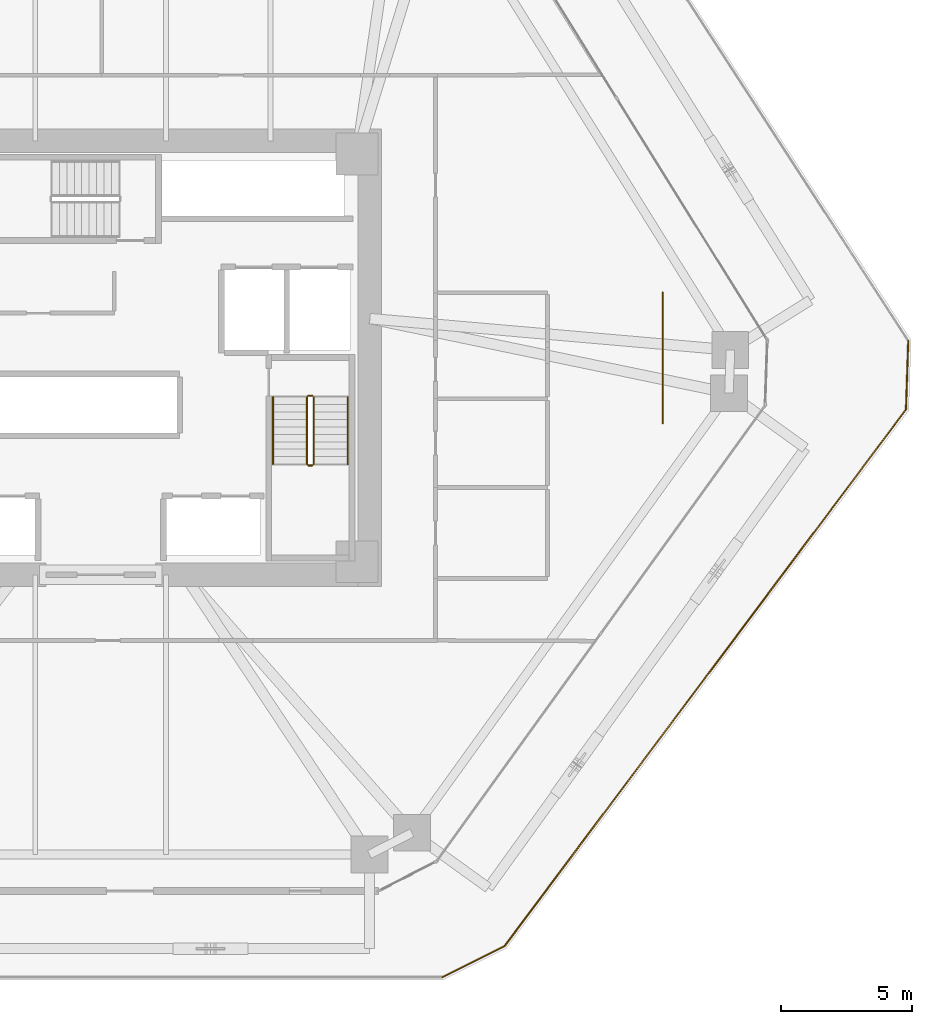
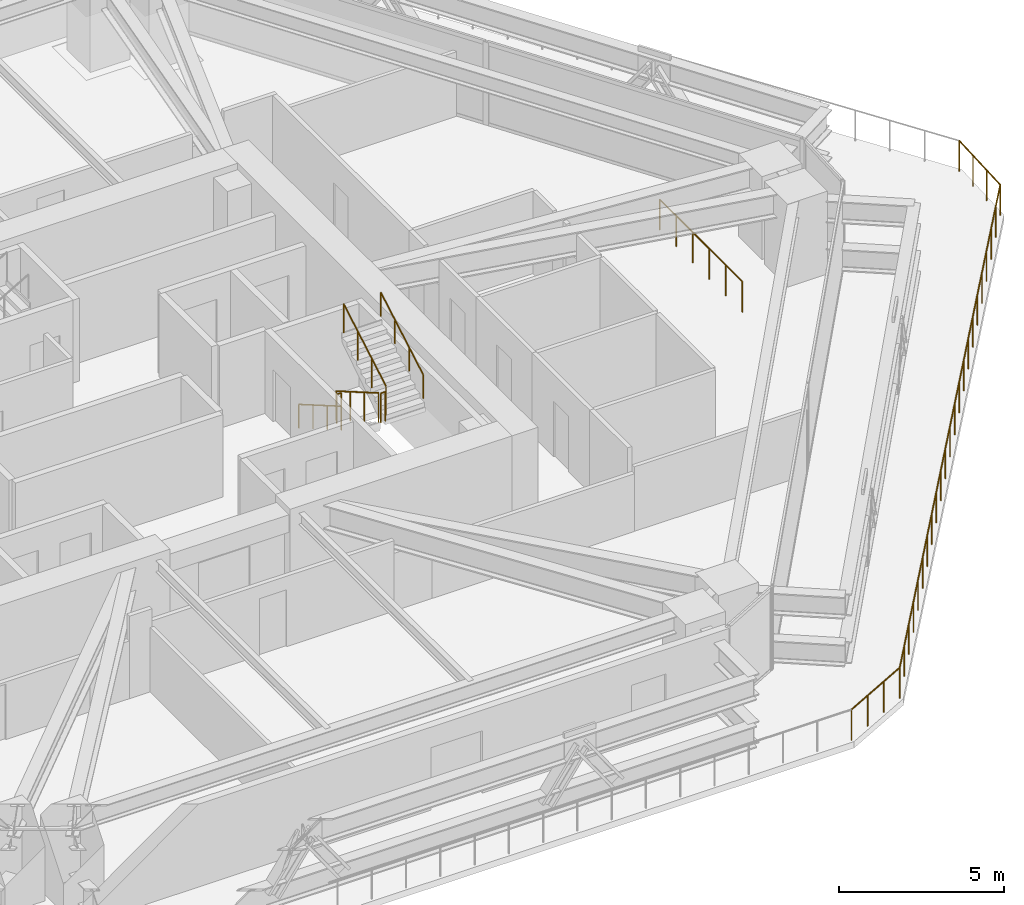
# One storey, part 19 of 20: 10 railings.
"""IFC4 building model written with IfcOpenShell, lengths in metres."""

from ifc_helpers import new_model, si_unit, direction, frame, origin, origin_2d, place, context, subcontext, project, spatial, circle, extrude, material, type_object, element, save


model = new_model("IFC4")

# Units and contexts
model_context = context("Model", 3, precision=1e-05, world=origin(), true_north=direction((0.0, 1.0)))
body_context = subcontext(model_context, "Body", "Model", "MODEL_VIEW")
ifc_project = project(units=[si_unit("LENGTHUNIT", "METRE"), si_unit("AREAUNIT", "SQUARE_METRE"), si_unit("VOLUMEUNIT", "CUBIC_METRE"), si_unit("PLANEANGLEUNIT", "RADIAN"), si_unit("MASSUNIT", "GRAM", prefix="KILO")], contexts=[model_context])

# Site, building, storey
site_placement = place(None, origin())
site = spatial("IfcSite", under=ifc_project, at=site_placement, CompositionType="ELEMENT")
building_placement = place(site_placement, origin())
building = spatial("IfcBuilding", under=site, at=building_placement, Name="Durnholm Broadcast Tower", CompositionType="ELEMENT")
storey_placement = place(building_placement, frame((0.0, 0.0, 32.39990234375)))
storey = spatial("IfcBuildingStorey", under=building, at=storey_placement, Name="L06", CompositionType="ELEMENT", Elevation=32.39990234375)

# Railings
ifc_material_1 = material(Name="Laminated Structural Glass Pool Balustrade", Category="glass")
railing_type_1 = type_object("IfcRailingType", Name="RAIL-POOL-1150", PredefinedType="BALUSTRADE", material=ifc_material_1)
railing_1_placement = place(storey_placement, frame((21.5, -2.5, 0.0)))
element("IfcRailing", 1, at=railing_1_placement, inside=storey, type_object=railing_type_1, Name="L06 planted sky-terrace feature glass balustrade 2", PredefinedType="BALUSTRADE", context=body_context, shape_type="SweptSolid", body=[
    extrude(circle(Radius=0.02392578125, at=origin_2d()), frame((0.0, 0.0, 1.1259765625), z_axis=(0.0, 1.0, 0.0), x_axis=(-1.0, 0.0, 0.0)), (0.0, 0.0, 1.0), 5.0),
    extrude(circle(Radius=0.02099609375, at=origin_2d()), origin(), (0.0, 0.0, 1.0), 1.101806640625),
    extrude(circle(Radius=0.02099609375, at=origin_2d()), frame((0.0, 1.0, 0.0)), (0.0, 0.0, 1.0), 1.101806640625),
    extrude(circle(Radius=0.02099609375, at=origin_2d()), frame((0.0, 2.0, 0.0)), (0.0, 0.0, 1.0), 1.101806640625),
    extrude(circle(Radius=0.02099609375, at=origin_2d()), frame((0.0, 3.0, 0.0)), (0.0, 0.0, 1.0), 1.101806640625),
    extrude(circle(Radius=0.02099609375, at=origin_2d()), frame((0.0, 4.0, 0.0)), (0.0, 0.0, 1.0), 1.101806640625),
    extrude(circle(Radius=0.02099609375, at=origin_2d()), frame((0.0, 5.0, 0.0)), (0.0, 0.0, 1.0), 1.101806640625),
])
ifc_material_2 = material(Name="Painted Tubular Steel Stair Guardrail", Category="steel")
railing_type_2 = type_object("IfcRailingType", Name="RAIL-ST-GRD", PredefinedType="GUARDRAIL", material=ifc_material_2)
railing_2_placement = place(storey_placement, frame((7.889892578125, -1.5, 0.1650390625)))
element("IfcRailing", 2, at=railing_2_placement, inside=storey, type_object=railing_type_2, Name="L06 ST-2 stair guard 1", PredefinedType="GUARDRAIL", context=body_context, shape_type="SweptSolid", body=[
    extrude(circle(Radius=0.02392578125, at=origin_2d()), frame((0.0, 0.0, 1.076171875), z_axis=(0.0, -0.865405606168, 0.501071987656), x_axis=(1.0, 0.0, 0.0)), (0.0, 0.0, 1.0), 2.9638671875),
    extrude(circle(Radius=0.02099609375, at=origin_2d()), origin(), (0.0, 0.0, 1.0), 1.052001953125),
    extrude(circle(Radius=0.02099609375, at=origin_2d()), frame((0.0, -0.85498046875, 0.4951171875)), (0.0, 0.0, 1.0), 1.052001953125),
    extrude(circle(Radius=0.02099609375, at=origin_2d()), frame((0.0, -1.7099609375, 0.989990234375)), (0.0, 0.0, 1.0), 1.052001953125),
    extrude(circle(Radius=0.02099609375, at=origin_2d()), frame((0.0, -2.56494140625, 1.485107421875)), (0.0, 0.0, 1.0), 1.052001953125),
])
railing_3_placement = place(storey_placement, frame((7.93994140625, -4.114990234375, 1.650146484375)))
element("IfcRailing", 3, at=railing_3_placement, inside=storey, type_object=railing_type_2, Name="L06 ST-2 stair guard 2", PredefinedType="GUARDRAIL", context=body_context, shape_type="SweptSolid", body=[
    extrude(circle(Radius=0.02392578125, at=origin_2d()), frame((0.0, 0.0, 1.076171875), z_axis=(1.0, 0.0, 0.0), x_axis=(0.0, 1.0, 0.0)), (0.0, 0.0, 1.0), 0.16015625),
    extrude(circle(Radius=0.02099609375, at=origin_2d()), origin(), (0.0, 0.0, 1.0), 1.052001953125),
    extrude(circle(Radius=0.02099609375, at=origin_2d()), frame((0.16015625, 0.0, 0.0)), (0.0, 0.0, 1.0), 1.052001953125),
])
railing_4_placement = place(storey_placement, frame((8.14990234375, -4.06494140625, 1.815185546875)))
element("IfcRailing", 4, at=railing_4_placement, inside=storey, type_object=railing_type_2, Name="L06 ST-2 stair guard 3", PredefinedType="GUARDRAIL", context=body_context, shape_type="SweptSolid", body=[
    extrude(circle(Radius=0.02392578125, at=origin_2d()), frame((0.0, 0.0, 1.076171875), z_axis=(0.0, 0.865441324677, 0.50101029285), x_axis=(-1.0, 0.0, 0.0)), (0.0, 0.0, 1.0), 2.963623046875),
    extrude(circle(Radius=0.02099609375, at=origin_2d()), origin(), (0.0, 0.0, 1.0), 1.052001953125),
    extrude(circle(Radius=0.02099609375, at=origin_2d()), frame((0.0, 0.85498046875, 0.494873046875)), (0.0, 0.0, 1.0), 1.052001953125),
    extrude(circle(Radius=0.02099609375, at=origin_2d()), frame((0.0, 1.7099609375, 0.989990234375)), (0.0, 0.0, 1.0), 1.052001953125),
    extrude(circle(Radius=0.02099609375, at=origin_2d()), frame((0.0, 2.56494140625, 1.48486328125)), (0.0, 0.0, 1.0), 1.052001953125),
])
railing_5_placement = place(storey_placement, frame((7.93994140625, -1.449951171875, 0.0)))
element("IfcRailing", 5, at=railing_5_placement, inside=storey, type_object=railing_type_2, Name="L06 ST-2 stair guard 4", PredefinedType="GUARDRAIL", context=body_context, shape_type="SweptSolid", body=[
    extrude(circle(Radius=0.02392578125, at=origin_2d()), frame((0.0, 0.0, 1.076171875), z_axis=(1.0, 0.0, 0.0), x_axis=(0.0, 1.0, 0.0)), (0.0, 0.0, 1.0), 0.16015625),
    extrude(circle(Radius=0.02099609375, at=origin_2d()), origin(), (0.0, 0.0, 1.0), 1.052001953125),
    extrude(circle(Radius=0.02099609375, at=origin_2d()), frame((0.16015625, 0.0, 0.0)), (0.0, 0.0, 1.0), 1.052001953125),
])
ifc_material_3 = material(Name="Brushed Stainless Steel Handrail", Category="steel")
railing_type_3 = type_object("IfcRailingType", Name="RAIL-ST-HND", PredefinedType="HANDRAIL", material=ifc_material_3)
railing_6_placement = place(storey_placement, frame((6.590087890625, -1.5, 0.330078125)))
element("IfcRailing", 6, at=railing_6_placement, inside=storey, type_object=railing_type_3, Name="L06 ST-2 stair handrail 1", PredefinedType="HANDRAIL", context=body_context, shape_type="SweptSolid", body=[
    extrude(circle(Radius=0.02392578125, at=origin_2d()), frame((0.0, 0.0, 0.8759765625), z_axis=(0.0, -0.865405606168, 0.501071987656), x_axis=(1.0, 0.0, 0.0)), (0.0, 0.0, 1.0), 2.9638671875),
    extrude(circle(Radius=0.02099609375, at=origin_2d()), origin(), (0.0, 0.0, 1.0), 0.851806640625),
    extrude(circle(Radius=0.02099609375, at=origin_2d()), frame((0.0, -0.85498046875, 0.4951171875)), (0.0, 0.0, 1.0), 0.851806640625),
    extrude(circle(Radius=0.02099609375, at=origin_2d()), frame((0.0, -1.7099609375, 0.989990234375)), (0.0, 0.0, 1.0), 0.851806640625),
    extrude(circle(Radius=0.02099609375, at=origin_2d()), frame((0.0, -2.56494140625, 1.485107421875)), (0.0, 0.0, 1.0), 0.851806640625),
])
railing_7_placement = place(storey_placement, frame((9.449951171875, -4.06494140625, 1.97998046875)))
element("IfcRailing", 7, at=railing_7_placement, inside=storey, type_object=railing_type_3, Name="L06 ST-2 stair handrail 2", PredefinedType="HANDRAIL", context=body_context, shape_type="SweptSolid", body=[
    extrude(circle(Radius=0.02392578125, at=origin_2d()), frame((0.0, 0.0, 0.8759765625), z_axis=(0.0, 0.865405606168, 0.501071987656), x_axis=(-1.0, 0.0, 0.0)), (0.0, 0.0, 1.0), 2.9638671875),
    extrude(circle(Radius=0.02099609375, at=origin_2d()), origin(), (0.0, 0.0, 1.0), 0.851806640625),
    extrude(circle(Radius=0.02099609375, at=origin_2d()), frame((0.0, 0.85498046875, 0.4951171875)), (0.0, 0.0, 1.0), 0.851806640625),
    extrude(circle(Radius=0.02099609375, at=origin_2d()), frame((0.0, 1.7099609375, 0.989990234375)), (0.0, 0.0, 1.0), 0.851806640625),
    extrude(circle(Radius=0.02099609375, at=origin_2d()), frame((0.0, 2.56494140625, 1.485107421875)), (0.0, 0.0, 1.0), 0.851806640625),
])
ifc_material_4 = material(Name="Stainless Steel and Laminated Glass Guardrail", Category="steel")
railing_type_4 = type_object("IfcRailingType", Name="RAIL-TERR-1150", PredefinedType="GUARDRAIL", material=ifc_material_4)
railing_8_placement = place(storey_placement, frame((30.893310546875, 0.650390625, 0.0)))
element("IfcRailing", 8, at=railing_8_placement, inside=storey, type_object=railing_type_4, Name="L06 sky-terrace perimeter guardrail 07", PredefinedType="GUARDRAIL", context=body_context, shape_type="SweptSolid", body=[
    extrude(circle(Radius=0.02392578125, at=origin_2d()), frame((0.0, 0.0, 1.1259765625), z_axis=(-0.033500220459, -0.999438710091, 0.0), x_axis=(0.999438710091, -0.033500220459, 0.0)), (0.0, 0.0, 1.0), 2.630859375),
    extrude(circle(Radius=0.02099609375, at=origin_2d()), origin(), (0.0, 0.0, 1.0), 1.101806640625),
    extrude(circle(Radius=0.02099609375, at=origin_2d()), frame((-0.029296875, -0.87646484375, 0.0)), (0.0, 0.0, 1.0), 1.101806640625),
    extrude(circle(Radius=0.02099609375, at=origin_2d()), frame((-0.058837890625, -1.7529296875, 0.0)), (0.0, 0.0, 1.0), 1.101806640625),
    extrude(circle(Radius=0.02099609375, at=origin_2d()), frame((-0.088134765625, -2.62939453125, 0.0)), (0.0, 0.0, 1.0), 1.101806640625),
])
railing_9_placement = place(storey_placement, frame((30.80517578125, -1.97900390625, 0.0)))
element("IfcRailing", 9, at=railing_9_placement, inside=storey, type_object=railing_type_4, Name="L06 sky-terrace perimeter guardrail 08", PredefinedType="GUARDRAIL", context=body_context, shape_type="SweptSolid", body=[
    extrude(circle(Radius=0.02392578125, at=origin_2d()), frame((0.0, 0.0, 1.1259765625), z_axis=(-0.599160119782, -0.800629221839, 0.0), x_axis=(0.800629221839, -0.599160119782, 0.0)), (0.0, 0.0, 1.0), 25.636962890625),
    extrude(circle(Radius=0.02099609375, at=origin_2d()), origin(), (0.0, 0.0, 1.0), 1.101806640625),
    extrude(circle(Radius=0.02099609375, at=origin_2d()), frame((-0.6982421875, -0.93310546875, 0.0)), (0.0, 0.0, 1.0), 1.101806640625),
    extrude(circle(Radius=0.02099609375, at=origin_2d()), frame((-1.396484375, -1.865966796875, 0.0)), (0.0, 0.0, 1.0), 1.101806640625),
    extrude(circle(Radius=0.02099609375, at=origin_2d()), frame((-2.0947265625, -2.798828125, 0.0)), (0.0, 0.0, 1.0), 1.101806640625),
    extrude(circle(Radius=0.02099609375, at=origin_2d()), frame((-2.792724609375, -3.73193359375, 0.0)), (0.0, 0.0, 1.0), 1.101806640625),
    extrude(circle(Radius=0.02099609375, at=origin_2d()), frame((-3.490966796875, -4.6650390625, 0.0)), (0.0, 0.0, 1.0), 1.101806640625),
    extrude(circle(Radius=0.02099609375, at=origin_2d()), frame((-4.189208984375, -5.597900390625, 0.0)), (0.0, 0.0, 1.0), 1.101806640625),
    extrude(circle(Radius=0.02099609375, at=origin_2d()), frame((-4.887451171875, -6.53076171875, 0.0)), (0.0, 0.0, 1.0), 1.101806640625),
    extrude(circle(Radius=0.02099609375, at=origin_2d()), frame((-5.585693359375, -7.4638671875, 0.0)), (0.0, 0.0, 1.0), 1.101806640625),
    extrude(circle(Radius=0.02099609375, at=origin_2d()), frame((-6.283935546875, -8.39697265625, 0.0)), (0.0, 0.0, 1.0), 1.101806640625),
    extrude(circle(Radius=0.02099609375, at=origin_2d()), frame((-6.982177734375, -9.329833984375, 0.0)), (0.0, 0.0, 1.0), 1.101806640625),
    extrude(circle(Radius=0.02099609375, at=origin_2d()), frame((-7.68017578125, -10.2626953125, 0.0)), (0.0, 0.0, 1.0), 1.101806640625),
    extrude(circle(Radius=0.02099609375, at=origin_2d()), frame((-8.37841796875, -11.19580078125, 0.0)), (0.0, 0.0, 1.0), 1.101806640625),
    extrude(circle(Radius=0.02099609375, at=origin_2d()), frame((-9.07666015625, -12.12890625, 0.0)), (0.0, 0.0, 1.0), 1.101806640625),
    extrude(circle(Radius=0.02099609375, at=origin_2d()), frame((-9.77490234375, -13.061767578125, 0.0)), (0.0, 0.0, 1.0), 1.101806640625),
    extrude(circle(Radius=0.02099609375, at=origin_2d()), frame((-10.47314453125, -13.99462890625, 0.0)), (0.0, 0.0, 1.0), 1.101806640625),
    extrude(circle(Radius=0.02099609375, at=origin_2d()), frame((-11.17138671875, -14.927734375, 0.0)), (0.0, 0.0, 1.0), 1.101806640625),
    extrude(circle(Radius=0.02099609375, at=origin_2d()), frame((-11.86962890625, -15.86083984375, 0.0)), (0.0, 0.0, 1.0), 1.101806640625),
    extrude(circle(Radius=0.02099609375, at=origin_2d()), frame((-12.56787109375, -16.793701171875, 0.0)), (0.0, 0.0, 1.0), 1.101806640625),
    extrude(circle(Radius=0.02099609375, at=origin_2d()), frame((-13.265869140625, -17.7265625, 0.0)), (0.0, 0.0, 1.0), 1.101806640625),
    extrude(circle(Radius=0.02099609375, at=origin_2d()), frame((-13.964111328125, -18.65966796875, 0.0)), (0.0, 0.0, 1.0), 1.101806640625),
    extrude(circle(Radius=0.02099609375, at=origin_2d()), frame((-14.662353515625, -19.5927734375, 0.0)), (0.0, 0.0, 1.0), 1.101806640625),
    extrude(circle(Radius=0.02099609375, at=origin_2d()), frame((-15.360595703125, -20.525634765625, 0.0)), (0.0, 0.0, 1.0), 1.101806640625),
])
railing_10_placement = place(storey_placement, frame((15.444580078125, -22.504638671875, 0.0)))
element("IfcRailing", 10, at=railing_10_placement, inside=storey, type_object=railing_type_4, Name="L06 sky-terrace perimeter guardrail 09", PredefinedType="GUARDRAIL", context=body_context, shape_type="SweptSolid", body=[
    extrude(circle(Radius=0.02392578125, at=origin_2d()), frame((0.0, 0.0, 1.1259765625), z_axis=(-0.894205789078, -0.44765612559, 0.0), x_axis=(0.44765612559, -0.894205789078, 0.0)), (0.0, 0.0, 1.0), 2.647705078125),
    extrude(circle(Radius=0.02099609375, at=origin_2d()), origin(), (0.0, 0.0, 1.0), 1.101806640625),
    extrude(circle(Radius=0.02099609375, at=origin_2d()), frame((-0.789306640625, -0.39501953125, 0.0)), (0.0, 0.0, 1.0), 1.101806640625),
    extrude(circle(Radius=0.02099609375, at=origin_2d()), frame((-1.578369140625, -0.790283203125, 0.0)), (0.0, 0.0, 1.0), 1.101806640625),
    extrude(circle(Radius=0.02099609375, at=origin_2d()), frame((-2.36767578125, -1.185302734375, 0.0)), (0.0, 0.0, 1.0), 1.101806640625),
])

save(model, "model.ifc")
